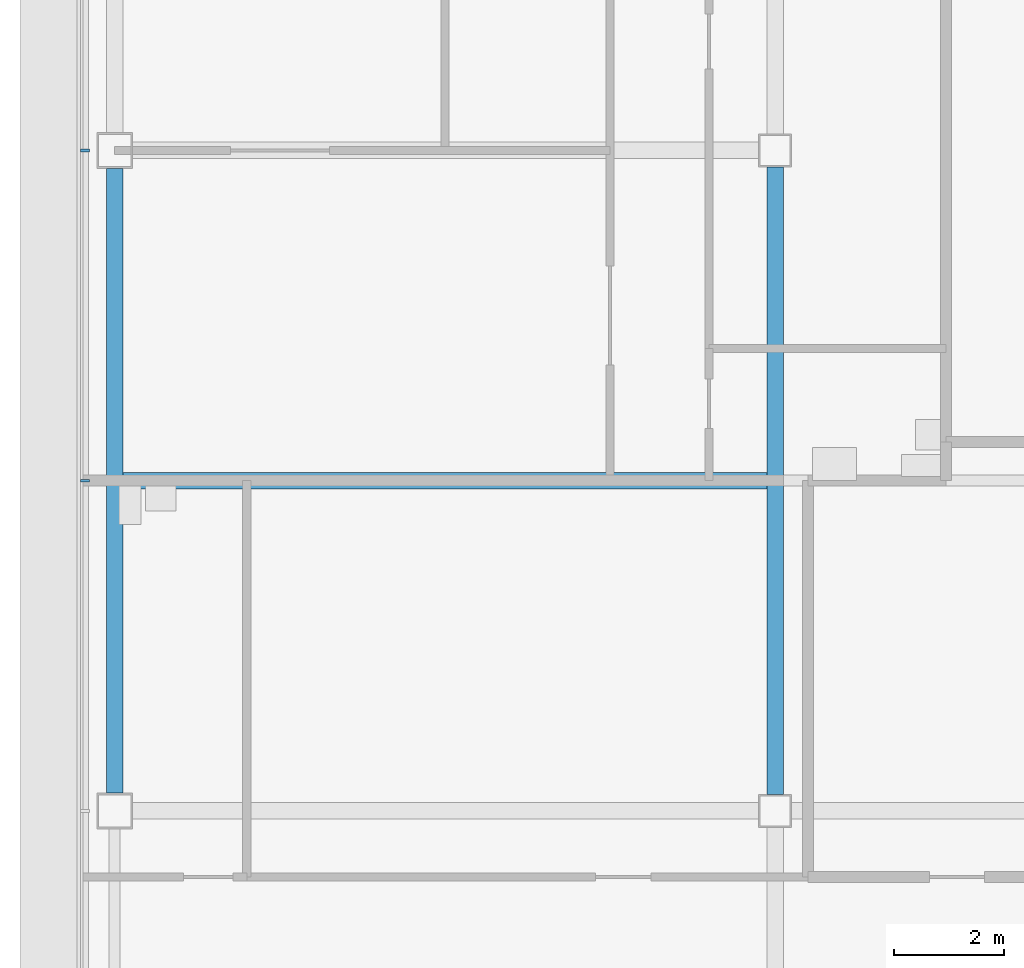
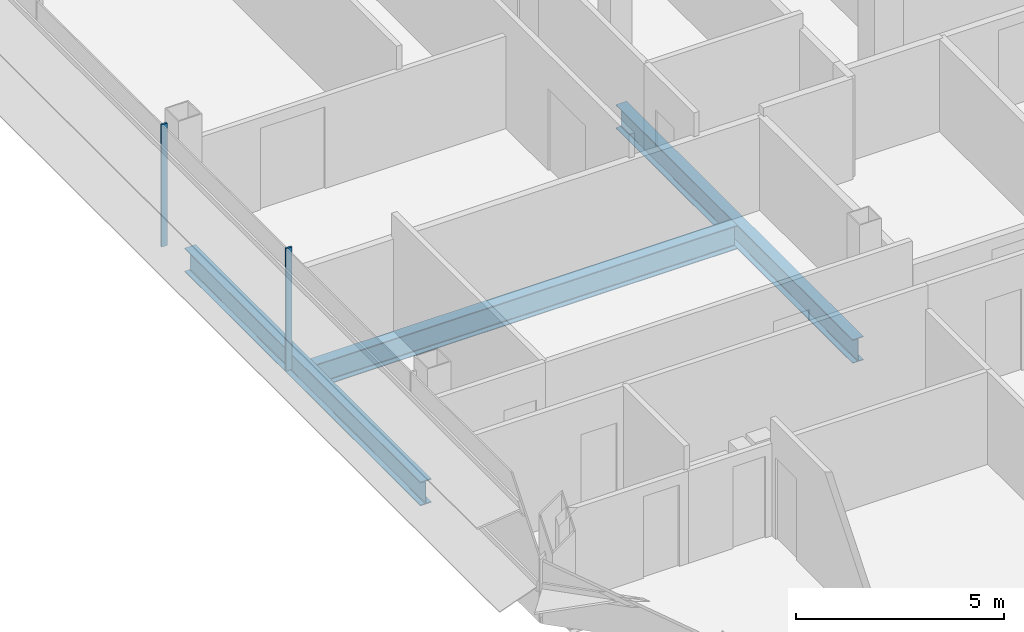
# One storey, part 4 of 27: 3 beams, 2 members, 1 element without a shape of its own.
"""IFC4 building model written with IfcOpenShell, lengths in metres."""

from ifc_helpers import new_model, si_unit, direction, frame, origin, origin_2d, place, context, subcontext, project, spatial, rectangle, i_section, extrude, material, material_profile, profile_set, type_object, element, aggregate, save


model = new_model("IFC4")

# Units and contexts
model_context = context("Model", 3, precision=1e-05, world=origin(), true_north=direction((0.0, 1.0)))
body_context = subcontext(model_context, "Body", "Model", "MODEL_VIEW")
ifc_project = project(units=[si_unit("LENGTHUNIT", "METRE"), si_unit("AREAUNIT", "SQUARE_METRE"), si_unit("VOLUMEUNIT", "CUBIC_METRE"), si_unit("PLANEANGLEUNIT", "RADIAN"), si_unit("MASSUNIT", "GRAM", prefix="KILO")], contexts=[model_context])

# Site, building, storey
site_placement = place(None, origin())
site = spatial("IfcSite", under=ifc_project, at=site_placement, CompositionType="ELEMENT")
building_placement = place(site_placement, origin())
building = spatial("IfcBuilding", under=site, at=building_placement, Name="Sorahane Residences", CompositionType="ELEMENT")
storey_placement = place(building_placement, frame((0.0, 0.0, 239.60009765625)))
storey = spatial("IfcBuildingStorey", under=building, at=storey_placement, Name="L56", CompositionType="ELEMENT", Elevation=239.60009765625)

# Curtain wall, members
ifc_material_1 = material(Name="Dark low-e glass and black anodised aluminium", Category="aluminium")
curtain_wall_type = type_object("IfcCurtainWallType", Name="Curtain wall CW-1 Typical unitised wall", PredefinedType="NOTDEFINED", material=ifc_material_1)
curtain_wall_placement = place(storey_placement, origin())
curtain_wall = element("IfcCurtainWall", 1, at=curtain_wall_placement, inside=storey, type_object=curtain_wall_type, Name="CW-1 curtain wall L56 W1", PredefinedType="NOTDEFINED")
ifc_material_2 = material(Name="Black anodised aluminium", Category="aluminium")
ifc_material_profile_1 = material_profile(ifc_material_2, rectangle(XDim=0.159912109375, YDim=0.050048828125, at=origin_2d()), Name="Curtain wall mullion CW-1 black anodised aluminium 50x160")
ifc_profile_set_1 = profile_set([ifc_material_profile_1], Name="Black anodised aluminium")
member_type = type_object("IfcMemberType", Name="Curtain wall mullion CW-1 black anodised aluminium 50x160", PredefinedType="MULLION", material=ifc_profile_set_1)
member_1_placement = place(storey_placement, frame((-12.5400390625, 24.0, -0.18017578125), z_axis=(0.0, 0.0, 1.0), x_axis=(-1.0, 0.0, 0.0)))
member_1 = element("IfcMember", 2, at=member_1_placement, type_object=member_type, Name="CW-1 mullion L56 W1.4", PredefinedType="MULLION", context=body_context, shape_type="SweptSolid", body=[
    extrude(rectangle(XDim=0.159912109375, YDim=0.050048828125, at=origin_2d()), origin(), (0.0, 0.0, 1.0), 3.60009765625),
])
member_2_placement = place(storey_placement, frame((-12.5400390625, 18.0, -0.18017578125), z_axis=(0.0, 0.0, 1.0), x_axis=(-1.0, 0.0, 0.0)))
member_2 = element("IfcMember", 3, at=member_2_placement, type_object=member_type, Name="CW-1 mullion L56 W1.5", PredefinedType="MULLION", context=body_context, shape_type="SweptSolid", body=[
    extrude(rectangle(XDim=0.159912109375, YDim=0.050048828125, at=origin_2d()), origin(), (0.0, 0.0, 1.0), 3.60009765625),
])
aggregate(curtain_wall, [member_1, member_2])

# Beams
ifc_material_3 = material(Name="Steel Q355B", Category="steel")
ifc_material_profile_2 = material_profile(ifc_material_3, i_section(OverallWidth=0.300048828125, OverallDepth=0.699951171875, WebThickness=0.012939453125, FlangeThickness=0.02392578125, FilletRadius=0.028076171875, at=origin_2d()), Name="HN 700x300x13x24")
ifc_profile_set_2 = profile_set([ifc_material_profile_2], Name="Steel Q355B")
beam_type = type_object("IfcBeamType", Name="Steel floor beam HN 700x300x13x24 Q355B", PredefinedType="BEAM", material=ifc_profile_set_2)
beam_1_placement = place(storey_placement, frame((-12.0, 12.324951171875, -0.530029296875), z_axis=(0.0, 1.0, 0.0), x_axis=(-1.0, 0.0, 0.0)))
element("IfcBeam", 4, at=beam_1_placement, inside=storey, type_object=beam_type, Name="Beam L56 021", PredefinedType="BEAM", context=body_context, shape_type="SweptSolid", body=[
    extrude(i_section(OverallWidth=0.300048828125, OverallDepth=0.699951171875, WebThickness=0.012939453125, FlangeThickness=0.02392578125, FilletRadius=0.028076171875, at=origin_2d()), origin(), (0.0, 0.0, 1.0), 11.35009765625),
])
beam_2_placement = place(storey_placement, frame((0.0, 12.300048828125, -0.530029296875), z_axis=(0.0, 1.0, 0.0), x_axis=(-1.0, 0.0, 0.0)))
element("IfcBeam", 5, at=beam_2_placement, inside=storey, type_object=beam_type, Name="Beam L56 025", PredefinedType="BEAM", context=body_context, shape_type="SweptSolid", body=[
    extrude(i_section(OverallWidth=0.300048828125, OverallDepth=0.699951171875, WebThickness=0.012939453125, FlangeThickness=0.02392578125, FilletRadius=0.028076171875, at=origin_2d()), origin(), (0.0, 0.0, 1.0), 11.39990234375),
])
beam_3_placement = place(storey_placement, frame((-11.85009765625, 18.0, -0.530029296875), z_axis=(1.0, 0.0, 0.0), x_axis=(0.0, 1.0, 0.0)))
element("IfcBeam", 6, at=beam_3_placement, inside=storey, type_object=beam_type, Name="Beam L56 078", PredefinedType="BEAM", context=body_context, shape_type="SweptSolid", body=[
    extrude(i_section(OverallWidth=0.300048828125, OverallDepth=0.699951171875, WebThickness=0.012939453125, FlangeThickness=0.02392578125, FilletRadius=0.028076171875, at=origin_2d()), origin(), (0.0, 0.0, 1.0), 11.7001953125),
])

save(model, "model.ifc")
